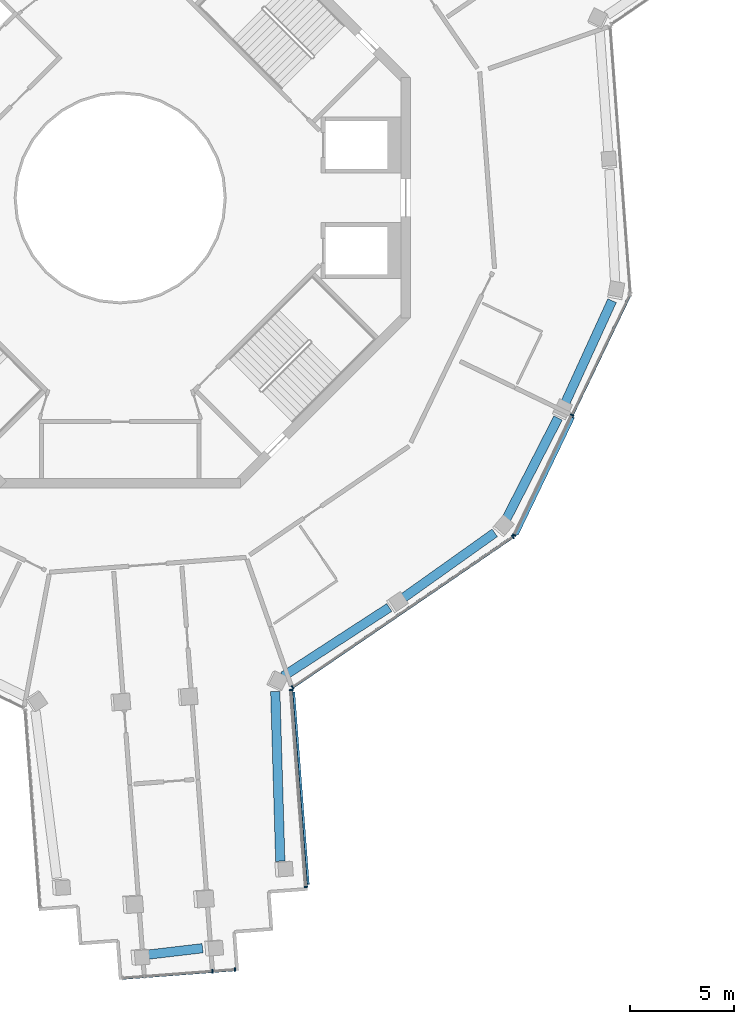
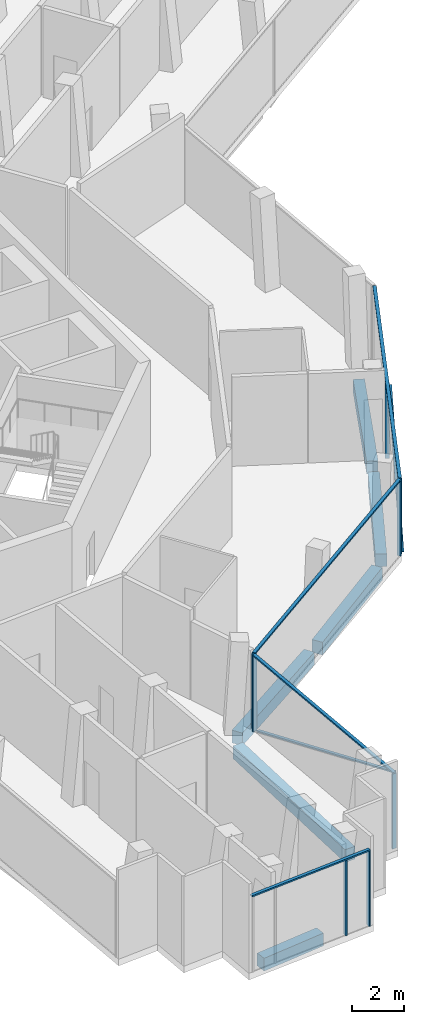
# One storey, part 3 of 19: 14 members, 6 beams, 4 elements without a shape of their own.
"""IFC4 building model written with IfcOpenShell, lengths in metres."""

from ifc_helpers import new_model, si_unit, direction, frame, origin, origin_2d, place, context, subcontext, project, spatial, rectangle, extrude, material, layer, layer_set, material_profile, profile_set, type_object, element, aggregate, save


model = new_model("IFC4")

# Units and contexts
model_context = context("Model", 3, precision=1e-05, world=origin(), true_north=direction((0.0, 1.0)))
body_context = subcontext(model_context, "Body", "Model", "MODEL_VIEW")
ifc_project = project(units=[si_unit("LENGTHUNIT", "METRE"), si_unit("AREAUNIT", "SQUARE_METRE"), si_unit("VOLUMEUNIT", "CUBIC_METRE"), si_unit("PLANEANGLEUNIT", "RADIAN"), si_unit("MASSUNIT", "GRAM", prefix="KILO")], contexts=[model_context])

# Site, building, storey
site_placement = place(None, origin())
site = spatial("IfcSite", under=ifc_project, at=site_placement, CompositionType="ELEMENT")
building_placement = place(site_placement, origin())
building = spatial("IfcBuilding", under=site, at=building_placement, Name="Verdalira Terraces Hotel", CompositionType="ELEMENT")
storey_placement = place(building_placement, frame((0.0, 0.0, 295.0)))
storey = spatial("IfcBuildingStorey", under=building, at=storey_placement, Name="L73", CompositionType="ELEMENT", Elevation=295.0)

# Curtain wall, members
ifc_material_1 = material(Name="Clear glass", Category="glass")
ifc_layer = layer(ifc_material_1, 0.179931640625)
ifc_layer_set = layer_set([ifc_layer], Name="CW4 curtain wall")
curtain_wall_type = type_object("IfcCurtainWallType", Name="CW4 curtain wall", PredefinedType="NOTDEFINED", material=ifc_layer_set)
curtain_wall_1_placement = place(storey_placement, origin())
curtain_wall_1 = element("IfcCurtainWall", 1, at=curtain_wall_1_placement, inside=storey, type_object=curtain_wall_type, Name="CW4 curtain wall L73 edge 19", PredefinedType="NOTDEFINED")
ifc_material_2 = material(Name="Terracotta frame", Category="masonry")
ifc_material_profile_1 = material_profile(ifc_material_2, rectangle(XDim=0.064941, YDim=0.179932, at=origin_2d()), Name="MU 65x180")
ifc_profile_set_1 = profile_set([ifc_material_profile_1], Name="Terracotta frame")
member_type_1 = type_object("IfcMemberType", Name="CW4 mullion 65x180", PredefinedType="MULLION", material=ifc_profile_set_1)
member_1_placement = place(storey_placement, frame((4.452393, -37.328125, 0.0), z_axis=(0.0, 0.0, 1.0), x_axis=(0.9971589, 0.075326806, 0.0)))
member_1 = element("IfcMember", 2, at=member_1_placement, type_object=member_type_1, Name="CW4 mullion", PredefinedType="MULLION", context=body_context, shape_type="SweptSolid", body=[
    extrude(rectangle(XDim=0.064941, YDim=0.179932, at=origin_2d()), origin(), (0.0, 0.0, 1.0), 3.52002),
])
member_2_placement = place(storey_placement, frame((5.538818, -37.246094, 0.0), z_axis=(0.0, 0.0, 1.0), x_axis=(0.9971589, 0.075326806, 0.0)))
member_2 = element("IfcMember", 3, at=member_2_placement, type_object=member_type_1, Name="CW4 mullion", PredefinedType="MULLION", context=body_context, shape_type="SweptSolid", body=[
    extrude(rectangle(XDim=0.064941, YDim=0.179932, at=origin_2d()), origin(), (0.0, 0.0, 1.0), 3.52002),
])

curtain_wall_2_placement = place(storey_placement, origin())
curtain_wall_2 = element("IfcCurtainWall", 4, at=curtain_wall_2_placement, inside=storey, type_object=curtain_wall_type, Name="CW4 curtain wall L73 edge 24", PredefinedType="NOTDEFINED")
member_3_placement = place(storey_placement, frame((8.970459, -33.253662, 0.0), z_axis=(0.0, 0.0, 1.0), x_axis=(-0.075326806, 0.9971589, 0.0)))
member_3 = element("IfcMember", 5, at=member_3_placement, type_object=member_type_1, Name="CW4 mullion", PredefinedType="MULLION", context=body_context, shape_type="SweptSolid", body=[
    extrude(rectangle(XDim=0.064941, YDim=0.179932, at=origin_2d()), origin(), (0.0, 0.0, 1.0), 3.52002),
])
member_4_placement = place(storey_placement, frame((8.252686, -23.753906, 0.0), z_axis=(0.0, 0.0, 1.0), x_axis=(-0.075326806, 0.9971589, 0.0)))
member_4 = element("IfcMember", 6, at=member_4_placement, type_object=member_type_1, Name="CW4 mullion", PredefinedType="MULLION", context=body_context, shape_type="SweptSolid", body=[
    extrude(rectangle(XDim=0.064941, YDim=0.179932, at=origin_2d()), origin(), (0.0, 0.0, 1.0), 3.52002),
])

curtain_wall_3_placement = place(storey_placement, origin())
curtain_wall_3 = element("IfcCurtainWall", 7, at=curtain_wall_3_placement, inside=storey, type_object=curtain_wall_type, Name="CW4 curtain wall L73 edge 25", PredefinedType="NOTDEFINED")
member_5_placement = place(storey_placement, frame((8.316162, -23.62207, 0.0), z_axis=(0.0, 0.0, 1.0), x_axis=(0.825901536, 0.563814377, 0.0)))
member_5 = element("IfcMember", 8, at=member_5_placement, type_object=member_type_1, Name="CW4 mullion", PredefinedType="MULLION", context=body_context, shape_type="SweptSolid", body=[
    extrude(rectangle(XDim=0.064941, YDim=0.179932, at=origin_2d()), origin(), (0.0, 0.0, 1.0), 3.52002),
])
member_6_placement = place(storey_placement, frame((18.95166, -16.361572, 0.0), z_axis=(0.0, 0.0, 1.0), x_axis=(0.825901536, 0.563814377, 0.0)))
member_6 = element("IfcMember", 9, at=member_6_placement, type_object=member_type_1, Name="CW4 mullion", PredefinedType="MULLION", context=body_context, shape_type="SweptSolid", body=[
    extrude(rectangle(XDim=0.064941, YDim=0.179932, at=origin_2d()), origin(), (0.0, 0.0, 1.0), 3.52002),
])

curtain_wall_4_placement = place(storey_placement, origin())
curtain_wall_4 = element("IfcCurtainWall", 10, at=curtain_wall_4_placement, inside=storey, type_object=curtain_wall_type, Name="CW4 curtain wall L73 edge 26", PredefinedType="NOTDEFINED")
member_7_placement = place(storey_placement, frame((19.022949, -16.278564, 0.0), z_axis=(0.0, 0.0, 1.0), x_axis=(0.433344523, 0.901228342, 0.0)))
member_7 = element("IfcMember", 11, at=member_7_placement, type_object=member_type_1, Name="CW4 mullion", PredefinedType="MULLION", context=body_context, shape_type="SweptSolid", body=[
    extrude(rectangle(XDim=0.064941, YDim=0.179932, at=origin_2d()), origin(), (0.0, 0.0, 1.0), 3.52002),
])
member_8_placement = place(storey_placement, frame((21.808105, -10.486328, 0.0), z_axis=(0.0, 0.0, 1.0), x_axis=(0.433344523, 0.901228342, 0.0)))
member_8 = element("IfcMember", 12, at=member_8_placement, type_object=member_type_1, Name="CW4 mullion", PredefinedType="MULLION", context=body_context, shape_type="SweptSolid", body=[
    extrude(rectangle(XDim=0.064941, YDim=0.179932, at=origin_2d()), origin(), (0.0, 0.0, 1.0), 3.52002),
])

# Member
ifc_material_3 = material(Name="Terracotta frame", Category="masonry")
ifc_material_profile_2 = material_profile(ifc_material_3, rectangle(XDim=0.139893, YDim=0.070068, at=origin_2d()), Name="TR 70x140")
ifc_profile_set_2 = profile_set([ifc_material_profile_2], Name="Terracotta frame")
member_type_2 = type_object("IfcMemberType", Name="CW4 transom 70x140", PredefinedType="USERDEFINED", material=ifc_profile_set_2)
member_9_placement = place(storey_placement, frame((0.086914, -37.657959, 3.554932), z_axis=(0.997158776, 0.075328456, 0.0), x_axis=(-0.075328456, 0.997158776, 0.0)))
member_9 = element("IfcMember", 13, at=member_9_placement, type_object=member_type_2, Name="CW4 transom", ObjectType="TRANSOM", PredefinedType="USERDEFINED", context=body_context, shape_type="SweptSolid", body=[
    extrude(rectangle(XDim=0.139893, YDim=0.070068, at=origin_2d()), origin(), (0.0, 0.0, 1.0), 5.5),
])

aggregate(curtain_wall_1, [member_1, member_2, member_9])

member_10_placement = place(storey_placement, frame((8.9729, -33.286133, 3.554932), z_axis=(-0.075341715, 0.997157774, 0.0), x_axis=(-0.997157774, -0.075341715, 0.0)))
member_10 = element("IfcMember", 14, at=member_10_placement, type_object=member_type_2, Name="CW4 transom", ObjectType="TRANSOM", PredefinedType="USERDEFINED", context=body_context, shape_type="SweptSolid", body=[
    extrude(rectangle(XDim=0.139893, YDim=0.070068, at=origin_2d()), origin(), (0.0, 0.0, 1.0), 9.591797),
])

member_11_placement = place(storey_placement, frame((8.289307, -23.640381, 3.554932), z_axis=(0.825902747, 0.563812603, 0.0), x_axis=(-0.563812603, 0.825902747, 0.0)))
member_11 = element("IfcMember", 15, at=member_11_placement, type_object=member_type_2, Name="CW4 transom", ObjectType="TRANSOM", PredefinedType="USERDEFINED", context=body_context, shape_type="SweptSolid", body=[
    extrude(rectangle(XDim=0.139893, YDim=0.070068, at=origin_2d()), origin(), (0.0, 0.0, 1.0), 12.942383),
])

aggregate(curtain_wall_3, [member_5, member_6, member_11])

member_12_placement = place(storey_placement, frame((19.008789, -16.307861, 3.554932), z_axis=(0.433350223, 0.901225601, 0.0), x_axis=(-0.901225601, 0.433350223, 0.0)))
member_12 = element("IfcMember", 16, at=member_12_placement, type_object=member_type_2, Name="CW4 transom", ObjectType="TRANSOM", PredefinedType="USERDEFINED", context=body_context, shape_type="SweptSolid", body=[
    extrude(rectangle(XDim=0.139893, YDim=0.070068, at=origin_2d()), origin(), (0.0, 0.0, 1.0), 12.919434),
])

ifc_material_4 = material(Name="Terracotta frame", Category="masonry")
ifc_material_profile_3 = material_profile(ifc_material_4, rectangle(XDim=0.149902, YDim=0.060059, at=origin_2d()), Name="GB 60x150")
ifc_profile_set_3 = profile_set([ifc_material_profile_3], Name="Terracotta frame")
member_type_3 = type_object("IfcMemberType", Name="Diagonal glazing bar 60x150", PredefinedType="USERDEFINED", material=ifc_profile_set_3)
member_13_placement = place(storey_placement, frame((9.054932, -33.136963, 3.491211), z_axis=(-0.070612024, 0.934576688, -0.348683747), x_axis=(-0.997157877, -0.075340351, 0.0)))
member_13 = element("IfcMember", 17, at=member_13_placement, type_object=member_type_3, Name="Diagonal glazing bar", ObjectType="GLAZING BAR", PredefinedType="USERDEFINED", context=body_context, shape_type="SweptSolid", body=[
    extrude(rectangle(XDim=0.149902, YDim=0.060059, at=origin_2d()), origin(), (0.0, 0.0, 1.0), 9.929932),
])

aggregate(curtain_wall_2, [member_3, member_4, member_10, member_13])

member_14_placement = place(storey_placement, frame((19.14209, -16.245361, 0.0271), z_axis=(0.379198117, 0.788577936, 0.484100843), x_axis=(-0.901219348, 0.433363228, 0.0)))
member_14 = element("IfcMember", 18, at=member_14_placement, type_object=member_type_3, Name="Diagonal glazing bar", ObjectType="GLAZING BAR", PredefinedType="USERDEFINED", context=body_context, shape_type="SweptSolid", body=[
    extrude(rectangle(XDim=0.149902, YDim=0.060059, at=origin_2d()), origin(), (0.0, 0.0, 1.0), 7.158691),
])

aggregate(curtain_wall_4, [member_7, member_8, member_12, member_14])

# Beams
ifc_material_5 = material(Name="Concrete C40", Category="concrete")
ifc_material_profile_4 = material_profile(ifc_material_5, rectangle(XDim=0.449951, YDim=0.600098, at=origin_2d()), Name="RC 450X600")
ifc_profile_set_4 = profile_set([ifc_material_profile_4], Name="Concrete C40")
beam_type = type_object("IfcBeamType", Name="Spandrel beam RC 450X600 C40", PredefinedType="SPANDREL", material=ifc_profile_set_4)
beam_1_placement = place(storey_placement, frame((1.149414, -36.545898, -0.610107), z_axis=(0.99315119, 0.116836267, 0.0), x_axis=(-0.116836267, 0.99315119, 0.0)))
element("IfcBeam", 19, at=beam_1_placement, inside=storey, type_object=beam_type, Name="Spandrel beam B11", PredefinedType="SPANDREL", context=body_context, shape_type="SweptSolid", body=[
    extrude(rectangle(XDim=0.449951, YDim=0.600098, at=origin_2d()), origin(), (0.0, 0.0, 1.0), 2.843994),
])
beam_2_placement = place(storey_placement, frame((7.724609, -32.014893, -0.610107), z_axis=(-0.029320245, 0.999570069, 0.0), x_axis=(-0.999570069, -0.029320245, 0.0)))
element("IfcBeam", 20, at=beam_2_placement, inside=storey, type_object=beam_type, Name="Spandrel beam B12", PredefinedType="SPANDREL", context=body_context, shape_type="SweptSolid", body=[
    extrude(rectangle(XDim=0.449951, YDim=0.600098, at=origin_2d()), origin(), (0.0, 0.0, 1.0), 8.193359),
])
beam_3_placement = place(storey_placement, frame((7.87207, -23.090088, -0.610107), z_axis=(0.838728008, 0.544550575, 0.0), x_axis=(-0.544550575, 0.838728008, 0.0)))
element("IfcBeam", 21, at=beam_3_placement, inside=storey, type_object=beam_type, Name="Spandrel beam B13", PredefinedType="SPANDREL", context=body_context, shape_type="SweptSolid", body=[
    extrude(rectangle(XDim=0.449951, YDim=0.600098, at=origin_2d()), origin(), (0.0, 0.0, 1.0), 6.097412),
])
beam_4_placement = place(storey_placement, frame((13.576904, -19.36792, -0.610107), z_axis=(0.81485832, 0.579660175, 0.0), x_axis=(-0.579660175, 0.81485832, 0.0)))
element("IfcBeam", 22, at=beam_4_placement, inside=storey, type_object=beam_type, Name="Spandrel beam B14", PredefinedType="SPANDREL", context=body_context, shape_type="SweptSolid", body=[
    extrude(rectangle(XDim=0.449951, YDim=0.600098, at=origin_2d()), origin(), (0.0, 0.0, 1.0), 5.52124),
])
beam_5_placement = place(storey_placement, frame((18.612305, -15.544678, -0.610107), z_axis=(0.455838293, 0.890062611, 0.0), x_axis=(-0.890062611, 0.455838293, 0.0)))
element("IfcBeam", 23, at=beam_5_placement, inside=storey, type_object=beam_type, Name="Spandrel beam B15", PredefinedType="SPANDREL", context=body_context, shape_type="SweptSolid", body=[
    extrude(rectangle(XDim=0.449951, YDim=0.600098, at=origin_2d()), origin(), (0.0, 0.0, 1.0), 5.523438),
])
beam_6_placement = place(storey_placement, frame((21.441895, -9.984619, -0.610107), z_axis=(0.415867391, 0.909425265, 0.0), x_axis=(-0.909425265, 0.415867391, 0.0)))
element("IfcBeam", 24, at=beam_6_placement, inside=storey, type_object=beam_type, Name="Spandrel beam B16", PredefinedType="SPANDREL", context=body_context, shape_type="SweptSolid", body=[
    extrude(rectangle(XDim=0.449951, YDim=0.600098, at=origin_2d()), origin(), (0.0, 0.0, 1.0), 5.52124),
])

save(model, "model.ifc")
